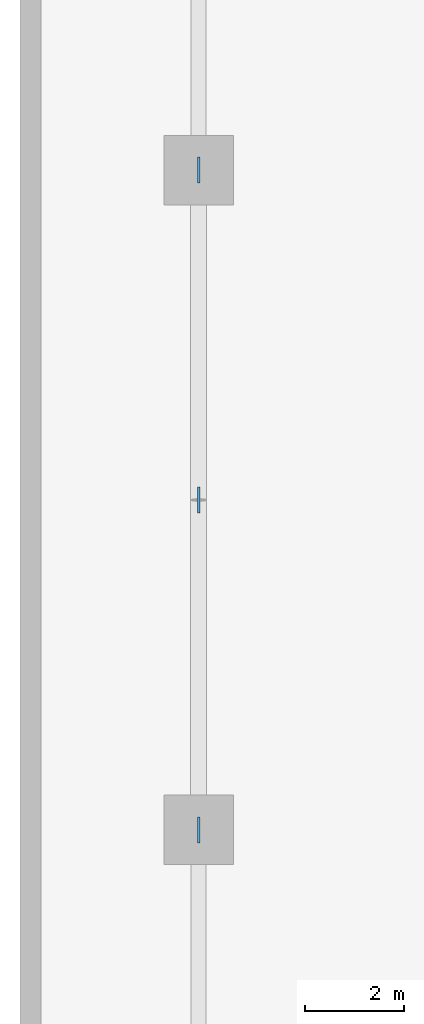
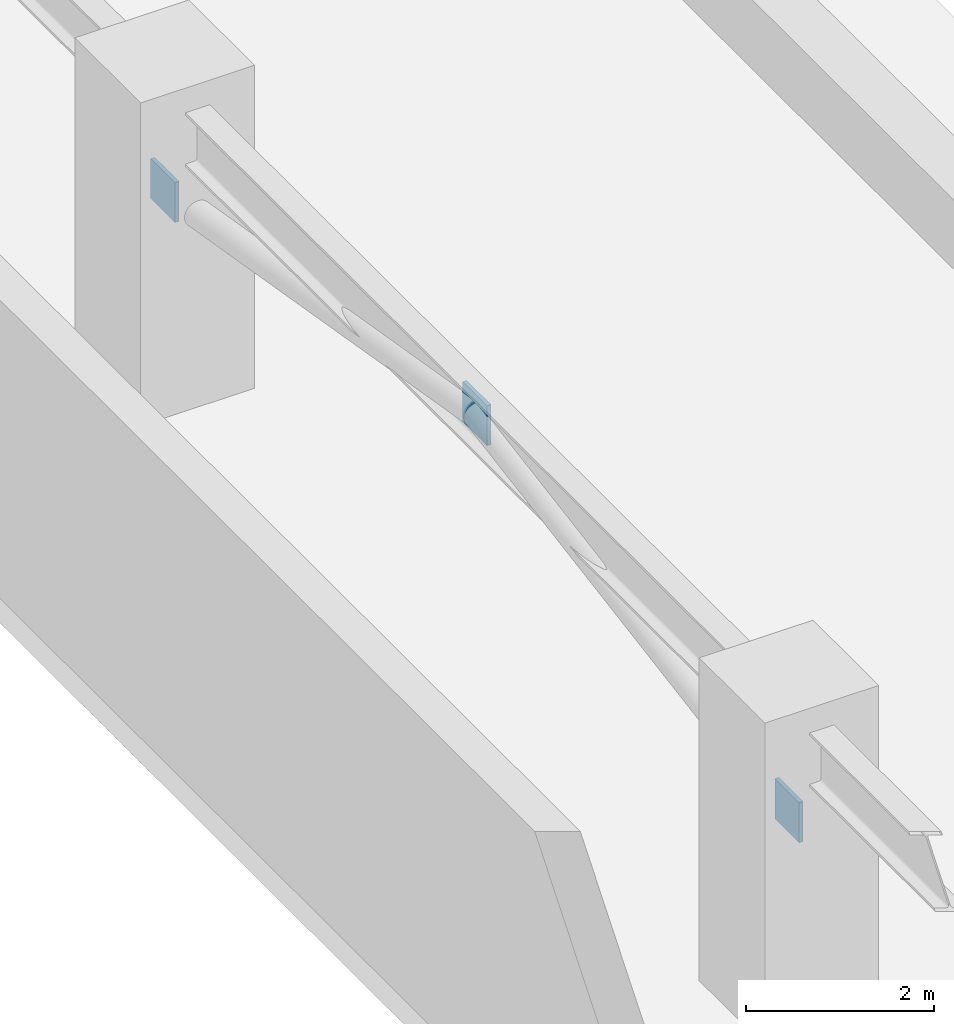
# One storey, part 16 of 25: 3 discrete accessories.
"""IFC4 building model written with IfcOpenShell, lengths in metres."""

from ifc_helpers import new_model, si_unit, direction, frame, origin, origin_2d, place, context, subcontext, project, spatial, rectangle, extrude, material, type_object, element, save


model = new_model("IFC4")

# Units and contexts
model_context = context("Model", 3, precision=1e-05, world=origin(), true_north=direction((0.0, 1.0)))
body_context = subcontext(model_context, "Body", "Model", "MODEL_VIEW")
ifc_project = project(units=[si_unit("LENGTHUNIT", "METRE"), si_unit("AREAUNIT", "SQUARE_METRE"), si_unit("VOLUMEUNIT", "CUBIC_METRE"), si_unit("PLANEANGLEUNIT", "RADIAN"), si_unit("MASSUNIT", "GRAM", prefix="KILO")], contexts=[model_context])

# Site, building, storey
site_placement = place(None, origin())
site = spatial("IfcSite", under=ifc_project, at=site_placement, CompositionType="ELEMENT")
building_placement = place(site_placement, origin())
building = spatial("IfcBuilding", under=site, at=building_placement, Name="Narakoshi Arena Tower", CompositionType="ELEMENT")
storey_placement = place(building_placement, frame((0.0, 0.0, 9.0)))
storey = spatial("IfcBuildingStorey", under=building, at=storey_placement, Name="L02", CompositionType="ELEMENT", Elevation=9.0)

# Discrete accessories
ifc_material = material(Name="Structural steel S460ML", Category="steel")
discrete_accessory_type = type_object("IfcDiscreteAccessoryType", Name="ACC-GUS-PLT", PredefinedType="BRACKET", material=ifc_material)
for number, where, z_axis, x_axis, name in (
    (1, (3.60009765625, 34.699951171875, 2.139892578125), (0.0, 0.0, 1.0), (0.0, 1.0, 0.0), "L02 Brace Node Gusset Plate 0025"),
    (2, (3.60009765625, 41.35009765625, 3.27001953125), (0.0, 0.0, 1.0), (0.0, 1.0, 0.0), "L02 Brace Node Gusset Plate 0026"),
    (3, (3.60009765625, 48.0, 2.139892578125), (0.0, 0.0, 1.0), (0.0, 1.0, 0.0), "L02 Brace Node Gusset Plate 0027"),
):
    element("IfcDiscreteAccessory", number, at=place(storey_placement, frame(where, z_axis=z_axis, x_axis=x_axis)), inside=storey, type_object=discrete_accessory_type, Name=name, PredefinedType="BRACKET", context=body_context, shape_type="SweptSolid", body=[
        extrude(rectangle(XDim=0.52001953125, YDim=0.050048828125, at=origin_2d()), origin(), (0.0, 0.0, 1.0), 0.52001953125),
    ])

save(model, "model.ifc")
